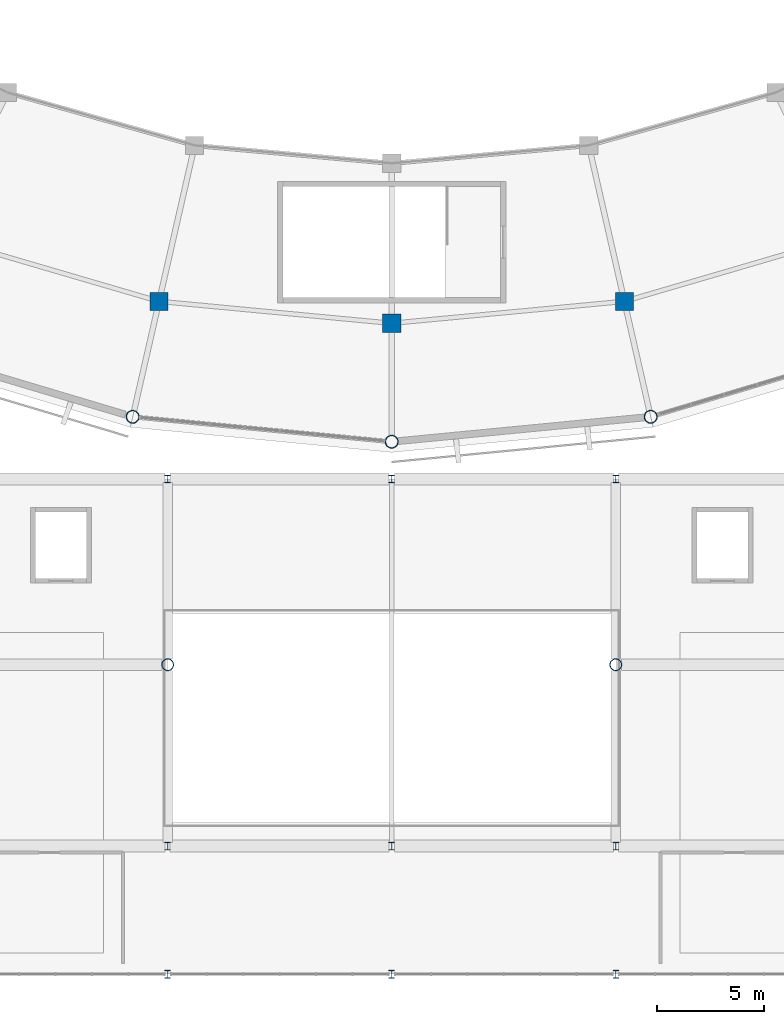
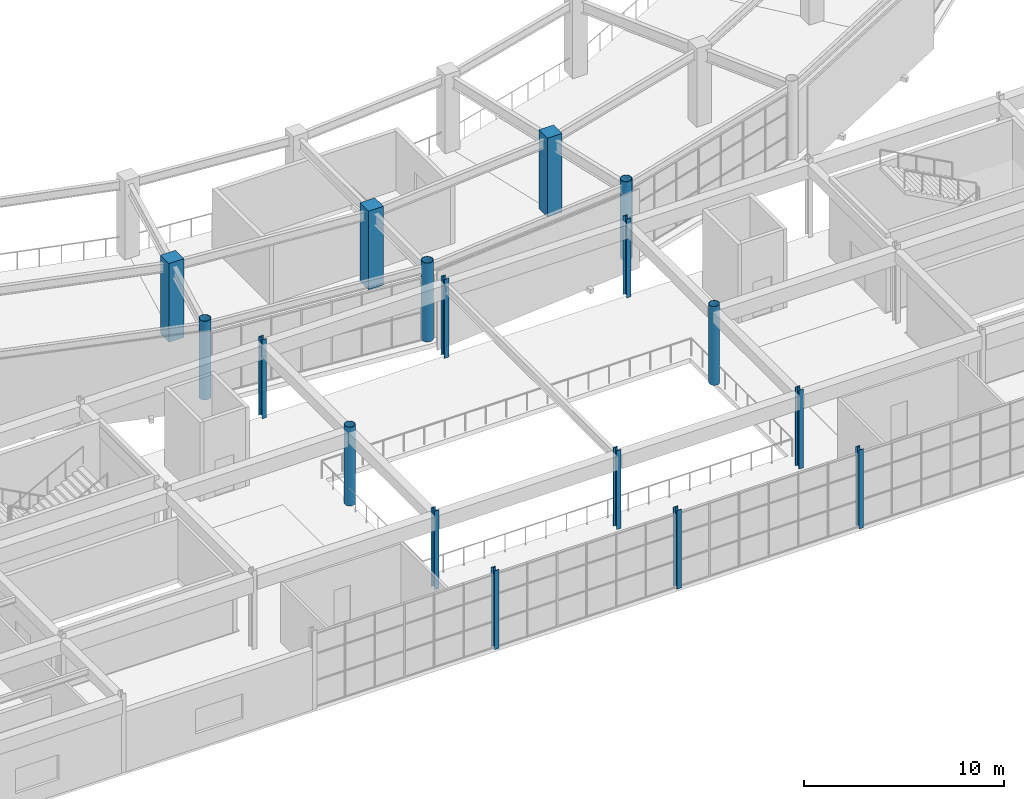
# One storey, part 4 of 112: 17 columns.
"""IFC4 building model written with IfcOpenShell, lengths in metres."""

from ifc_helpers import new_model, si_unit, direction, frame, origin, origin_2d, place, context, subcontext, project, spatial, rectangle, hollow_circle, i_section, extrude, material, material_profile, profile_set, type_object, element, save


model = new_model("IFC4")

# Units and contexts
model_context = context("Model", 3, precision=1e-05, world=origin(), true_north=direction((0.0, 1.0)))
body_context = subcontext(model_context, "Body", "Model", "MODEL_VIEW")
ifc_project = project(units=[si_unit("LENGTHUNIT", "METRE"), si_unit("AREAUNIT", "SQUARE_METRE"), si_unit("VOLUMEUNIT", "CUBIC_METRE"), si_unit("PLANEANGLEUNIT", "RADIAN"), si_unit("MASSUNIT", "GRAM", prefix="KILO")], contexts=[model_context])

# Site, building, storey
site_placement = place(None, origin())
site = spatial("IfcSite", under=ifc_project, at=site_placement, CompositionType="ELEMENT")
building_placement = place(site_placement, origin())
building = spatial("IfcBuilding", under=site, at=building_placement, Name="Cuetzalor Civic Arena", CompositionType="ELEMENT")
storey_placement = place(building_placement, frame((0.0, 0.0, 11.39990234375)))
storey = spatial("IfcBuildingStorey", under=building, at=storey_placement, Name="L02", CompositionType="ELEMENT", Elevation=11.39990234375)

# Columns
ifc_material_1 = material(Name="Concrete C40/50", Category="concrete")
ifc_material_profile_1 = material_profile(ifc_material_1, rectangle(XDim=0.85009765625, YDim=0.85009765625, at=origin_2d()), Name="RC 850x850")
ifc_profile_set_1 = profile_set([ifc_material_profile_1], Name="Concrete C40/50")
column_type_1 = type_object("IfcColumnType", Name="ConcreteColumn_850", PredefinedType="COLUMN", material=ifc_profile_set_1)
for number, where, z_axis, x_axis, name in (
    (1, (-10.903564453125, -39.971923828125, 0.0), (0.0, 0.0, 1.0), (1.0, 0.0, 0.0), "Column V1-REC-21 L02"),
    (2, (0.0, -41.0, 0.0), (0.0, 0.0, 1.0), (1.0, 0.0, 0.0), "Column V1-REC-22 L02"),
    (3, (10.903564453125, -39.971923828125, 0.0), (0.0, 0.0, 1.0), (1.0, 0.0, 0.0), "Column V1-REC-23 L02"),
):
    element("IfcColumn", number, at=place(storey_placement, frame(where, z_axis=z_axis, x_axis=x_axis)), inside=storey, type_object=column_type_1, Name=name, PredefinedType="COLUMN", context=body_context, shape_type="SweptSolid", body=[
        extrude(rectangle(XDim=0.85009765625, YDim=0.85009765625, at=origin_2d()), origin(), (0.0, 0.0, 1.0), 4.800048828125),
    ])
ifc_material_2 = material(Name="Steel S355", Category="steel")
ifc_material_profile_2 = material_profile(ifc_material_2, hollow_circle(Radius=0.304931640625, WallThickness=0.02490234375, at=origin_2d()), Name="CHS 610x25")
ifc_profile_set_2 = profile_set([ifc_material_profile_2], Name="Steel S355")
column_type_2 = type_object("IfcColumnType", Name="SteelDomePylon_CHS610", PredefinedType="COLUMN", material=ifc_profile_set_2)
for number, where, z_axis, x_axis, name in (
    (4, (-12.138427734375, -45.3828125, 0.0), (0.0, 0.0, 1.0), (1.0, 0.0, 0.0), "Column V1-PYL-21 L02"),
    (5, (0.0, -46.550048828125, 0.0), (0.0, 0.0, 1.0), (1.0, 0.0, 0.0), "Column V1-PYL-22 L02"),
    (6, (12.138427734375, -45.3828125, 0.0), (0.0, 0.0, 1.0), (1.0, 0.0, 0.0), "Column V1-PYL-23 L02"),
):
    element("IfcColumn", number, at=place(storey_placement, frame(where, z_axis=z_axis, x_axis=x_axis)), inside=storey, type_object=column_type_2, Name=name, PredefinedType="COLUMN", context=body_context, shape_type="SweptSolid", body=[
        extrude(hollow_circle(Radius=0.304931640625, WallThickness=0.02490234375, at=origin_2d()), origin(), (0.0, 0.0, 1.0), 4.800048828125),
    ])
ifc_material_3 = material(Name="Steel S355", Category="steel")
ifc_material_profile_3 = material_profile(ifc_material_3, hollow_circle(Radius=0.279541015625, WallThickness=0.02001953125, at=origin_2d()), Name="CHS 559x20")
ifc_profile_set_3 = profile_set([ifc_material_profile_3], Name="Steel S355")
column_type_3 = type_object("IfcColumnType", Name="SteelFoyerColumn_CHS559", PredefinedType="COLUMN", material=ifc_profile_set_3)
for number, where, z_axis, x_axis, name in (
    (7, (-10.5, -57.0, 0.0), (0.0, 0.0, 1.0), (1.0, 0.0, 0.0), "Column V3-C-04-03 L02"),
    (8, (10.5, -57.0, 0.0), (0.0, 0.0, 1.0), (1.0, 0.0, 0.0), "Column V3-C-06-03 L02"),
):
    element("IfcColumn", number, at=place(storey_placement, frame(where, z_axis=z_axis, x_axis=x_axis)), inside=storey, type_object=column_type_3, Name=name, PredefinedType="COLUMN", context=body_context, shape_type="SweptSolid", body=[
        extrude(hollow_circle(Radius=0.279541015625, WallThickness=0.02001953125, at=origin_2d()), origin(), (0.0, 0.0, 1.0), 4.800048828125),
    ])
ifc_material_4 = material(Name="Steel S355", Category="steel")
ifc_material_profile_4 = material_profile(ifc_material_4, i_section(OverallWidth=0.257080078125, OverallDepth=0.363037109375, WebThickness=0.012939453125, FlangeThickness=0.021728515625, at=origin_2d()), Name="W360x122")
ifc_profile_set_4 = profile_set([ifc_material_profile_4], Name="Steel S355")
column_type_4 = type_object("IfcColumnType", Name="SteelMezzColumn_W360", PredefinedType="COLUMN", material=ifc_profile_set_4)
for number, where, z_axis, x_axis, name in (
    (9, (-10.5, -71.5, 0.0), (0.0, 0.0, 1.0), (1.0, 0.0, 0.0), "Column V3-C-04-01 L02"),
    (10, (-10.5, -65.5, 0.0), (0.0, 0.0, 1.0), (1.0, 0.0, 0.0), "Column V3-C-04-02 L02"),
    (11, (-10.5, -48.300048828125, 0.0), (0.0, 0.0, 1.0), (1.0, 0.0, 0.0), "Column V3-C-04-04 L02"),
    (12, (0.0, -71.5, 0.0), (0.0, 0.0, 1.0), (1.0, 0.0, 0.0), "Column V3-C-05-01 L02"),
    (13, (0.0, -65.5, 0.0), (0.0, 0.0, 1.0), (1.0, 0.0, 0.0), "Column V3-C-05-02 L02"),
    (14, (0.0, -48.300048828125, 0.0), (0.0, 0.0, 1.0), (1.0, 0.0, 0.0), "Column V3-C-05-04 L02"),
    (15, (10.5, -71.5, 0.0), (0.0, 0.0, 1.0), (1.0, 0.0, 0.0), "Column V3-C-06-01 L02"),
    (16, (10.5, -65.5, 0.0), (0.0, 0.0, 1.0), (1.0, 0.0, 0.0), "Column V3-C-06-02 L02"),
    (17, (10.5, -48.300048828125, 0.0), (0.0, 0.0, 1.0), (1.0, 0.0, 0.0), "Column V3-C-06-04 L02"),
):
    element("IfcColumn", number, at=place(storey_placement, frame(where, z_axis=z_axis, x_axis=x_axis)), inside=storey, type_object=column_type_4, Name=name, PredefinedType="COLUMN", context=body_context, shape_type="SweptSolid", body=[
        extrude(i_section(OverallWidth=0.257080078125, OverallDepth=0.363037109375, WebThickness=0.012939453125, FlangeThickness=0.021728515625, at=origin_2d()), origin(), (0.0, 0.0, 1.0), 4.800048828125),
    ])

save(model, "model.ifc")
